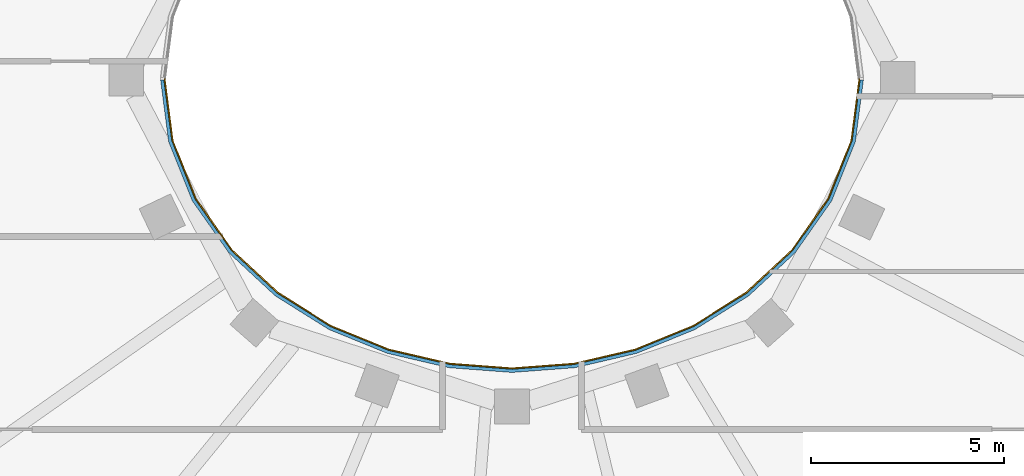
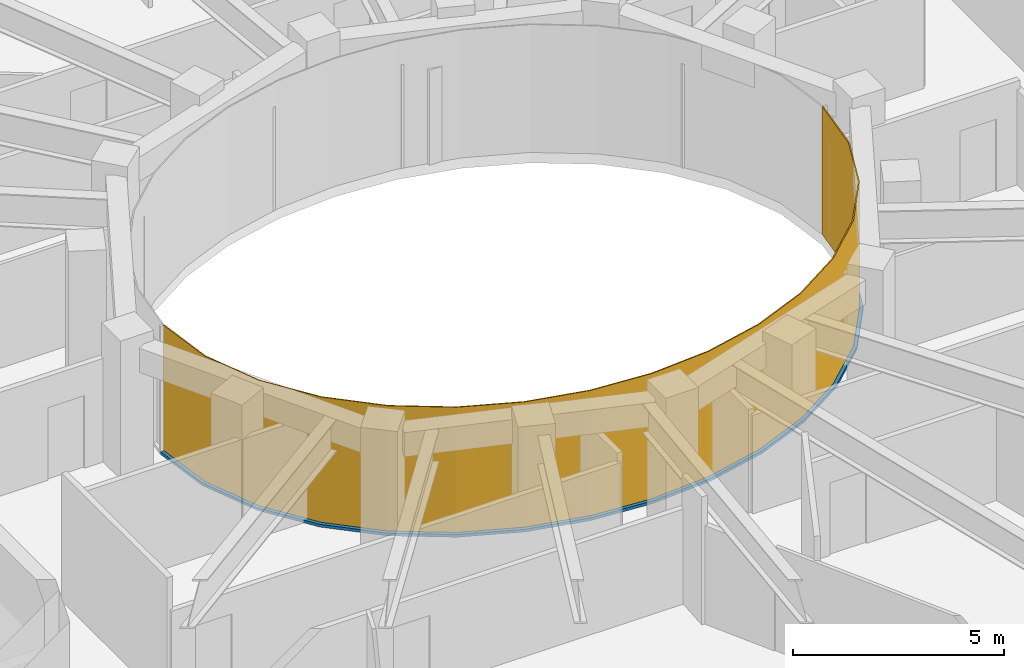
# One storey, part 10 of 17: 1 curtain wall, 1 member.
"""IFC4 building model written with IfcOpenShell, lengths in metres."""

import ifcopenshell
import ifcopenshell.guid

model = None  # the IFC model being written
_history = None  # IfcOwnerHistory: only IFC2X3 demands one
_inside = {}  # id of a spatial element -> (the spatial element, [elements in it])
_under = {}  # id of a project, library or spatial element -> (it, [spatial elements below it])
_declared = {}  # id of a project -> (the project, [libraries it declares])
_typed = {}  # id of a type object -> (the type object, [elements of that type])
_made_of = {}  # id of a material, layer set ... -> (it, [elements and type objects made of it])


def new_model(schema):
    """Start an empty IFC model of exactly this schema.

    Asked for "IFC4X3", IfcOpenShell would pick the latest addendum, in which some entities
    have other attributes; the version numbers below select the first issue.
    IFC2X3 requires an IfcOwnerHistory on every rooted entity: one is made here for all.
    """
    global model, _history
    if schema == "IFC4X3":
        model = ifcopenshell.file(schema_version=(4, 3, 0, 0))
    else:
        model = ifcopenshell.file(schema=schema)
    _inside.clear()
    _under.clear()
    _declared.clear()
    _typed.clear()
    _made_of.clear()
    _history = None
    if model.schema == "IFC2X3":
        org = make("IfcOrganization", Name="unknown")
        user = make(
            "IfcPersonAndOrganization",
            ThePerson=make("IfcPerson", FamilyName="unknown"),
            TheOrganization=org,
        )
        app = make(
            "IfcApplication",
            ApplicationDeveloper=org,
            Version="unknown",
            ApplicationFullName="unknown",
            ApplicationIdentifier="unknown",
        )
        _history = make(
            "IfcOwnerHistory",
            OwningUser=user,
            OwningApplication=app,
            ChangeAction="ADDED",
            CreationDate=0,
        )
    return model


def make(cls, **values):
    """One entity of the class cls with the attributes given. An attribute that is None is left unset."""
    return model.create_entity(
        cls, **{name: value for name, value in values.items() if value is not None}
    )


def rooted(cls, **values):
    """An entity with a GlobalId (a new one), such as an element, a storey or a relation."""
    return make(cls, GlobalId=ifcopenshell.guid.new(), OwnerHistory=_history, **values)


def si_unit(unit_type, name, prefix=None):
    """IfcSIUnit, for example si_unit("LENGTHUNIT", "METRE", prefix="MILLI")."""
    return make("IfcSIUnit", UnitType=unit_type, Prefix=prefix, Name=name)


def assignment(units):
    """IfcUnitAssignment: the units of a project."""
    return None if units is None else make("IfcUnitAssignment", Units=units)


def point(xyz):
    """IfcCartesianPoint."""
    return None if xyz is None else make("IfcCartesianPoint", Coordinates=xyz)


def direction(xyz):
    """IfcDirection."""
    return None if xyz is None else make("IfcDirection", DirectionRatios=xyz)


def frame(location, z_axis=None, x_axis=None):
    """IfcAxis2Placement3D, a coordinate frame: its origin and axes. An axis left out is left unset."""
    return make(
        "IfcAxis2Placement3D",
        Location=point(location),
        Axis=direction(z_axis),
        RefDirection=direction(x_axis),
    )


def origin():
    """The frame at (0, 0, 0) with its axes left unset."""
    return frame((0.0, 0.0, 0.0))


def place(relative_to, where):
    """IfcLocalPlacement: puts the frame where relative to a parent placement (None: the world)."""
    return make(
        "IfcLocalPlacement", PlacementRelTo=relative_to, RelativePlacement=where
    )


def context(
    kind, dimensions, precision=None, world=None, true_north=None, identifier=None
):
    """IfcGeometricRepresentationContext, for example the 3D "Model" context."""
    return make(
        "IfcGeometricRepresentationContext",
        ContextIdentifier=identifier,
        ContextType=kind,
        CoordinateSpaceDimension=dimensions,
        Precision=precision,
        WorldCoordinateSystem=world,
        TrueNorth=true_north,
    )


def subcontext(parent, identifier, kind, view, scale=None):
    """IfcGeometricRepresentationSubContext, for example "Body" below "Model"."""
    return make(
        "IfcGeometricRepresentationSubContext",
        ContextIdentifier=identifier,
        ContextType=kind,
        ParentContext=parent,
        TargetScale=scale,
        TargetView=view,
    )


def project(units=None, contexts=None):
    """IfcProject with its units and contexts."""
    return rooted(
        "IfcProject",
        Name="project",
        RepresentationContexts=contexts,
        UnitsInContext=assignment(units),
    )


def spatial(cls, under=None, at=None, **own):
    """A site, building, storey or space (cls), placed at a placement, below another one or the project."""
    s = rooted(cls, ObjectPlacement=at, **own)
    if under is not None:
        _under.setdefault(under.id(), (under, []))[1].append(s)
    return s


def polyline(points):
    """IfcPolyline through the points."""
    return make("IfcPolyline", Points=[point(p) for p in points])


def outline(outer, holes=None, kind="AREA"):
    """IfcArbitraryClosedProfileDef: a profile drawn as a closed curve; with holes, ...WithVoids."""
    if holes is None:
        return make("IfcArbitraryClosedProfileDef", ProfileType=kind, OuterCurve=outer)
    return make(
        "IfcArbitraryProfileDefWithVoids",
        ProfileType=kind,
        OuterCurve=outer,
        InnerCurves=holes,
    )


def extrude(swept, where, along, depth):
    """IfcExtrudedAreaSolid: the profile swept, set in the frame where, extruded along a direction by depth."""
    return make(
        "IfcExtrudedAreaSolid",
        SweptArea=swept,
        Position=where,
        ExtrudedDirection=direction(along),
        Depth=depth,
    )


def shape(context_of_items, identifier, shape_type, items):
    """IfcShapeRepresentation: the items that make up one representation, for example the "Body"."""
    return make(
        "IfcShapeRepresentation",
        ContextOfItems=context_of_items,
        RepresentationIdentifier=identifier,
        RepresentationType=shape_type,
        Items=items,
    )


def material(Name=None, Category=None):
    """IfcMaterial."""
    return make("IfcMaterial", Name=Name, Category=Category)


def layer(
    of_material, thickness, ventilated=None, Name=None, Category=None, Priority=None
):
    """IfcMaterialLayer: one layer of a wall or slab, of a material (None: an air gap)."""
    return make(
        "IfcMaterialLayer",
        Material=of_material,
        LayerThickness=thickness,
        IsVentilated=ventilated,
        Name=Name,
        Category=Category,
        Priority=Priority,
    )


def layer_set(layers, Name=None):
    """IfcMaterialLayerSet."""
    return make("IfcMaterialLayerSet", MaterialLayers=layers, LayerSetName=Name)


def made_of(thing, what):
    """Note that an element or type object is made of a material, layer set ...; save() writes the relation."""
    if what is not None:
        _made_of.setdefault(what.id(), (what, []))[1].append(thing)
    return thing


def type_object(cls, material=None, **own):
    """A type object (cls), such as IfcWallType, which elements share."""
    return made_of(rooted(cls, **own), material)


def element(
    cls,
    number,
    at=None,
    inside=None,
    cuts=None,
    type_object=None,
    material=None,
    context=None,
    identifier="Body",
    shape_type=None,
    held_by="IfcProductDefinitionShape",
    body=None,
    shapes=None,
    **own,
):
    """One element of the class cls, such as IfcWall. Its Tag is "e" and its number.

    at: its placement. inside: the storey or other place that contains it. cuts: it is an
    opening in that element (IfcRelVoidsElement). A single representation is given by context,
    identifier, shape_type and body (its items); several are given by shapes. held_by: the class
    of the entity that holds the representations. save() writes the other relations.
    """
    e = rooted(cls, Tag="e%d" % number, ObjectPlacement=at, **own)
    if body is not None:
        shapes = [shape(context, identifier, shape_type, body)]
    if shapes is not None:
        e.Representation = make(held_by, Representations=shapes)
    if inside is not None:
        _inside.setdefault(inside.id(), (inside, []))[1].append(e)
    if cuts is not None:
        rooted(
            "IfcRelVoidsElement", RelatingBuildingElement=cuts, RelatedOpeningElement=e
        )
    if type_object is not None:
        _typed.setdefault(type_object.id(), (type_object, []))[1].append(e)
    return made_of(e, material)


def aggregate(whole, parts):
    """IfcRelAggregates: a whole, such as a stair, and the parts it consists of."""
    return rooted("IfcRelAggregates", RelatingObject=whole, RelatedObjects=parts)


def save(model, path):
    """Write the relations noted so far, then the file.

    IfcRelAggregates (storeys below a building ...), IfcRelContainedInSpatialStructure (elements
    in a storey), IfcRelDefinesByType, IfcRelAssociatesMaterial and IfcRelDeclares: one each for
    every whole, place, type object, material and project.
    """
    for whole, parts in _under.values():
        aggregate(whole, parts)
    for where, things in _inside.values():
        rooted(
            "IfcRelContainedInSpatialStructure",
            RelatedElements=things,
            RelatingStructure=where,
        )
    for kind, things in _typed.values():
        rooted("IfcRelDefinesByType", RelatedObjects=things, RelatingType=kind)
    for what, things in _made_of.values():
        rooted("IfcRelAssociatesMaterial", RelatedObjects=things, RelatingMaterial=what)
    for by, libraries in _declared.values():
        rooted("IfcRelDeclares", RelatingContext=by, RelatedDefinitions=libraries)
    model.write(path)


model = new_model("IFC4")

# Units and contexts
model_context = context("Model", 3, precision=1e-05, world=origin(), true_north=direction((0.0, 1.0)))
body_context = subcontext(model_context, "Body", "Model", "MODEL_VIEW")
ifc_project = project(units=[si_unit("LENGTHUNIT", "METRE"), si_unit("AREAUNIT", "SQUARE_METRE"), si_unit("VOLUMEUNIT", "CUBIC_METRE"), si_unit("PLANEANGLEUNIT", "RADIAN"), si_unit("MASSUNIT", "GRAM", prefix="KILO")], contexts=[model_context])

# Member
ifc_material_1 = material(Name="Steel S355 fire-resisting frame", Category="steel")
member_type = type_object("IfcMemberType", Name="ENV-TRANSOM-W", PredefinedType="USERDEFINED", material=ifc_material_1)
site_placement = place(None, origin())
building_placement = place(site_placement, origin())
storey_placement = place(building_placement, frame((0.0, 0.0, 291.0)))
member_placement = place(storey_placement, origin())
member = element("IfcMember", 1, at=member_placement, type_object=member_type, Name="Transom W well 17-01", ObjectType="TRANSOM", PredefinedType="USERDEFINED", context=body_context, shape_type="SweptSolid", body=[
    extrude(outline(polyline([(-9.119384765625, -0.02783203125), (-8.910400390625, -1.63623046875), (-8.29833984375, -3.167236328125), (-7.35107421875, -4.5146484375), (-6.1455078125, -5.6337890625), (-4.75341796875, -6.50634765625), (-3.233642578125, -7.127685546875), (-1.635498046875, -7.498779296875), (0.0, -7.622314453125), (1.635498046875, -7.498779296875), (3.233642578125, -7.127685546875), (4.75341796875, -6.50634765625), (6.1455078125, -5.6337890625), (7.35107421875, -4.5146484375), (8.29833984375, -3.167236328125), (8.910400390625, -1.63623046875), (9.119384765625, -0.02783203125), (9.02880859375, -0.02783203125), (8.822509765625, -1.61328125), (8.21875, -3.124267578125), (7.282958984375, -4.455078125), (6.090576171875, -5.56201171875), (4.712158203125, -6.426025390625), (3.206298828125, -7.04150390625), (1.621826171875, -7.40966796875), (0.0, -7.531982421875), (-1.621826171875, -7.40966796875), (-3.206298828125, -7.04150390625), (-4.712158203125, -6.426025390625), (-6.090576171875, -5.56201171875), (-7.282958984375, -4.455078125), (-8.21875, -3.124267578125), (-8.822509765625, -1.61328125), (-9.02880859375, -0.02783203125), (-9.119384765625, -0.02783203125)])), origin(), (0.0, 0.0, 1.0), 0.080078125),
])

# Site, building, storey
site = spatial("IfcSite", under=ifc_project, at=site_placement, CompositionType="ELEMENT")
building = spatial("IfcBuilding", under=site, at=building_placement, Name="Noorbagh Ring Tower", CompositionType="ELEMENT")
storey = spatial("IfcBuildingStorey", under=building, at=storey_placement, Name="L62", CompositionType="ELEMENT", Elevation=291.0)

# Curtain wall
ifc_material_2 = material(Name="Glass fire-resisting E60 laminated", Category="glass")
ifc_layer = layer(ifc_material_2, 0.031982421875)
ifc_layer_set = layer_set([ifc_layer], Name="Glass fire-resisting E60 laminated")
curtain_wall_type = type_object("IfcCurtainWallType", Name="ENV-CW-W", PredefinedType="NOTDEFINED", material=ifc_layer_set)
curtain_wall_placement = place(storey_placement, origin())
curtain_wall = element("IfcCurtainWall", 2, at=curtain_wall_placement, inside=storey, type_object=curtain_wall_type, Name="Curtain wall W W17", PredefinedType="NOTDEFINED", context=body_context, shape_type="SweptSolid", body=[
    extrude(outline(polyline([(-9.0322265625, 0.0), (-8.822509765625, -1.61328125), (-8.21875, -3.124267578125), (-7.282958984375, -4.455078125), (-6.090576171875, -5.56201171875), (-4.712158203125, -6.426025390625), (-3.206298828125, -7.04150390625), (-1.621826171875, -7.40966796875), (0.0, -7.531982421875), (1.621826171875, -7.40966796875), (3.206298828125, -7.04150390625), (4.712158203125, -6.426025390625), (6.090576171875, -5.56201171875), (7.282958984375, -4.455078125), (8.21875, -3.124267578125), (8.822509765625, -1.61328125), (9.0322265625, 0.0), (9.0, 0.0), (8.79150390625, -1.605224609375), (8.1904296875, -3.10888671875), (7.2587890625, -4.43408203125), (6.071044921875, -5.53662109375), (4.697509765625, -6.3974609375), (3.196533203125, -7.010986328125), (1.6171875, -7.3779296875), (0.0, -7.5), (-1.6171875, -7.3779296875), (-3.196533203125, -7.010986328125), (-4.697509765625, -6.3974609375), (-6.071044921875, -5.53662109375), (-7.2587890625, -4.43408203125), (-8.1904296875, -3.10888671875), (-8.79150390625, -1.605224609375), (-9.0, 0.0), (-9.0322265625, 0.0)])), origin(), (0.0, 0.0, 1.0), 3.699951171875),
])

aggregate(curtain_wall, [member])

save(model, "model.ifc")
